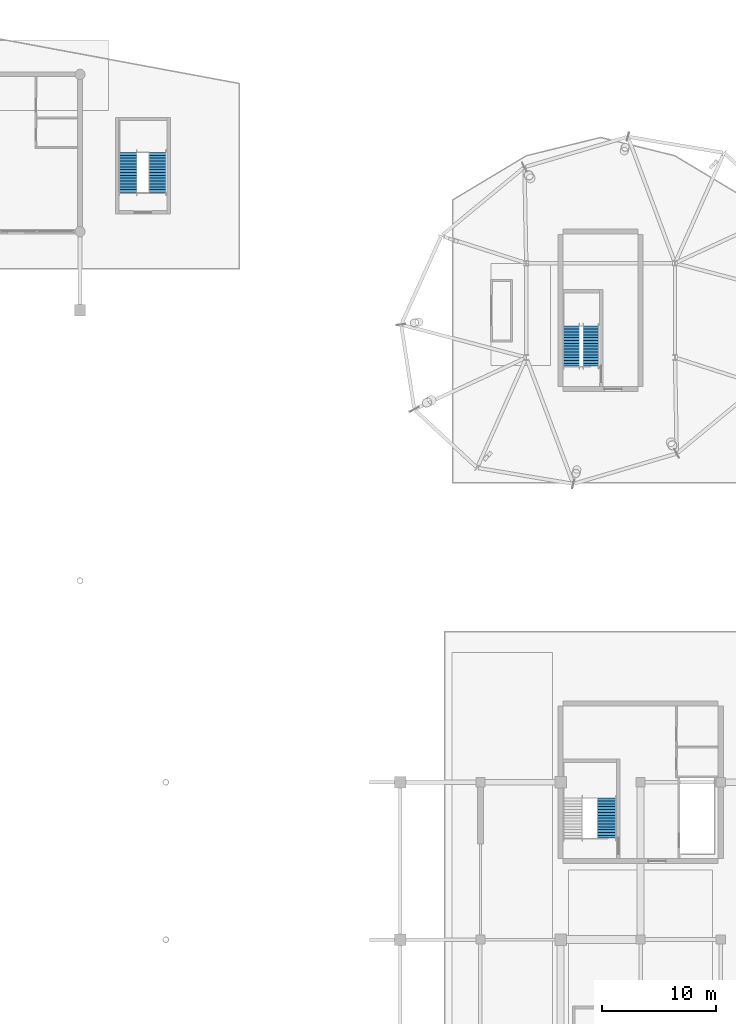
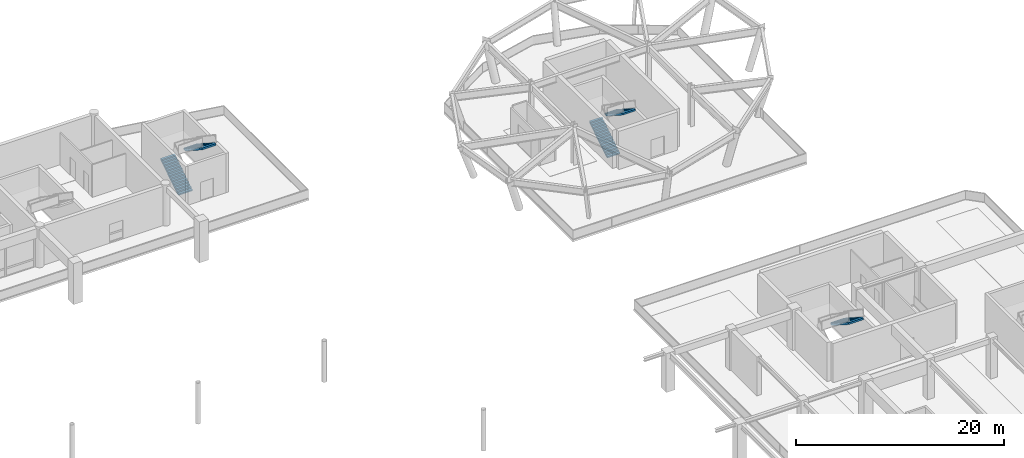
# One storey, part 78 of 91: 5 stair flights, 3 elements without a shape of their own.
"""IFC4 building model written with IfcOpenShell, lengths in metres."""

from ifc_helpers import new_model, si_unit, direction, frame, origin, place, context, subcontext, project, spatial, polyline, outline, extrude, material, type_object, element, aggregate, save


model = new_model("IFC4")

# Units and contexts
model_context = context("Model", 3, precision=1e-05, world=origin(), true_north=direction((0.0, 1.0)))
body_context = subcontext(model_context, "Body", "Model", "MODEL_VIEW")
ifc_project = project(units=[si_unit("LENGTHUNIT", "METRE"), si_unit("AREAUNIT", "SQUARE_METRE"), si_unit("VOLUMEUNIT", "CUBIC_METRE"), si_unit("PLANEANGLEUNIT", "RADIAN"), si_unit("MASSUNIT", "GRAM", prefix="KILO")], contexts=[model_context])

# Site, building, storey
site_placement = place(None, origin())
site = spatial("IfcSite", under=ifc_project, at=site_placement, CompositionType="ELEMENT")
building_placement = place(site_placement, origin())
building = spatial("IfcBuilding", under=site, at=building_placement, Name="Linyun Crest Stadium", CompositionType="ELEMENT")
storey_placement = place(building_placement, frame((0.0, 0.0, 11.39990234375)))
storey = spatial("IfcBuildingStorey", under=building, at=storey_placement, Name="L03", CompositionType="ELEMENT", Elevation=11.39990234375)

# Stair, stair flight
ifc_material_1 = material(Name="Concrete C40", Category="concrete")
stair_type = type_object("IfcStairType", Name="STA03", PredefinedType="HALF_TURN_STAIR", material=ifc_material_1)
stair_1_placement = place(storey_placement, origin())
stair_1 = element("IfcStair", 1, at=stair_1_placement, inside=storey, type_object=stair_type, Name="Evacuation stair STR-06-L03", PredefinedType="HALF_TURN_STAIR")
ifc_material_2 = material(Name="Concrete C40", Category="concrete")
stair_flight_type_1 = type_object("IfcStairFlightType", Name="STF01", PredefinedType="STRAIGHT", material=ifc_material_2)
stair_flight_1_placement = place(storey_placement, frame((74.034912109375, 41.989990234375, 2.400146484375), z_axis=(0.0, 0.0, 1.0), x_axis=(0.0, -1.0, 0.0)))
stair_flight_1 = element("IfcStairFlight", 2, at=stair_flight_1_placement, type_object=stair_flight_type_1, Name="STR-06-L03 flight 2", NumberOfRisers=15, NumberOfTreads=14, PredefinedType="STRAIGHT", RiserHeight=0.16, TreadLength=0.25, context=body_context, shape_type="SweptSolid", body=[
    extrude(outline(polyline([(0.0, 0.0), (0.0, 0.159912109375), (0.25, 0.159912109375), (0.25, 0.320068359375), (0.5, 0.320068359375), (0.5, 0.47998046875), (0.75, 0.47998046875), (0.75, 0.639892578125), (1.0, 0.639892578125), (1.0, 0.800048828125), (1.25, 0.800048828125), (1.25, 0.9599609375), (1.5, 0.9599609375), (1.5, 1.1201171875), (1.75, 1.1201171875), (1.75, 1.280029296875), (2.0, 1.280029296875), (2.0, 1.43994140625), (2.25, 1.43994140625), (2.25, 1.60009765625), (2.5, 1.60009765625), (2.5, 1.760009765625), (2.75, 1.760009765625), (2.75, 1.919921875), (3.0, 1.919921875), (3.0, 2.080078125), (3.25, 2.080078125), (3.25, 2.239990234375), (3.5, 2.239990234375), (3.5, 2.39990234375), (3.5, 2.0263671875), (0.333740234375, 0.0), (0.0, 0.0)])), frame((0.0, 0.824951171875, 0.0), z_axis=(0.0, -1.0, 0.0), x_axis=(1.0, 0.0, 0.0)), (0.0, 0.0, 1.0), 1.64990234375),
])
aggregate(stair_1, [stair_flight_1])

# Stair, stair flights
stair_2_placement = place(storey_placement, origin())
stair_2 = element("IfcStair", 3, at=stair_2_placement, inside=storey, type_object=stair_type, Name="Vomitory evacuation stair STR-26-L03", PredefinedType="HALF_TURN_STAIR")
ifc_material_3 = material(Name="Concrete C40", Category="concrete")
stair_flight_type_2 = type_object("IfcStairFlightType", Name="STF02", PredefinedType="STRAIGHT", material=ifc_material_3)
stair_flight_2_placement = place(storey_placement, frame((32.215087890625, 94.919921875, 0.0), z_axis=(0.0, 0.0, 1.0), x_axis=(0.0, 1.0, 0.0)))
stair_flight_2 = element("IfcStairFlight", 4, at=stair_flight_2_placement, type_object=stair_flight_type_2, Name="STR-26-L03 flight 1", NumberOfRisers=15, NumberOfTreads=14, PredefinedType="STRAIGHT", RiserHeight=0.16, TreadLength=0.25, context=body_context, shape_type="SweptSolid", body=[
    extrude(outline(polyline([(0.0, 0.0), (0.0, 0.159912109375), (0.25, 0.159912109375), (0.25, 0.320068359375), (0.5, 0.320068359375), (0.5, 0.47998046875), (0.75, 0.47998046875), (0.75, 0.639892578125), (1.0, 0.639892578125), (1.0, 0.800048828125), (1.25, 0.800048828125), (1.25, 0.9599609375), (1.5, 0.9599609375), (1.5, 1.1201171875), (1.75, 1.1201171875), (1.75, 1.280029296875), (2.0, 1.280029296875), (2.0, 1.43994140625), (2.25, 1.43994140625), (2.25, 1.60009765625), (2.5, 1.60009765625), (2.5, 1.760009765625), (2.75, 1.760009765625), (2.75, 1.919921875), (3.0, 1.919921875), (3.0, 2.080078125), (3.25, 2.080078125), (3.25, 2.239990234375), (3.5, 2.239990234375), (3.5, 2.39990234375), (3.5, 2.0263671875), (0.333740234375, 0.0), (0.0, 0.0)])), frame((0.0, 0.77490234375, 0.0), z_axis=(0.0, -1.0, 0.0), x_axis=(1.0, 0.0, 0.0)), (0.0, 0.0, 1.0), 1.550048828125),
])
stair_flight_3_placement = place(storey_placement, frame((34.784912109375, 98.419921875, 2.400146484375), z_axis=(0.0, 0.0, 1.0), x_axis=(0.0, -1.0, 0.0)))
stair_flight_3 = element("IfcStairFlight", 5, at=stair_flight_3_placement, type_object=stair_flight_type_2, Name="STR-26-L03 flight 2", NumberOfRisers=15, NumberOfTreads=14, PredefinedType="STRAIGHT", RiserHeight=0.16, TreadLength=0.25, context=body_context, shape_type="SweptSolid", body=[
    extrude(outline(polyline([(0.0, 0.0), (0.0, 0.159912109375), (0.25, 0.159912109375), (0.25, 0.320068359375), (0.5, 0.320068359375), (0.5, 0.47998046875), (0.75, 0.47998046875), (0.75, 0.639892578125), (1.0, 0.639892578125), (1.0, 0.800048828125), (1.25, 0.800048828125), (1.25, 0.9599609375), (1.5, 0.9599609375), (1.5, 1.1201171875), (1.75, 1.1201171875), (1.75, 1.280029296875), (2.0, 1.280029296875), (2.0, 1.43994140625), (2.25, 1.43994140625), (2.25, 1.60009765625), (2.5, 1.60009765625), (2.5, 1.760009765625), (2.75, 1.760009765625), (2.75, 1.919921875), (3.0, 1.919921875), (3.0, 2.080078125), (3.25, 2.080078125), (3.25, 2.239990234375), (3.5, 2.239990234375), (3.5, 2.39990234375), (3.5, 2.0263671875), (0.333740234375, 0.0), (0.0, 0.0)])), frame((0.0, 0.77490234375, 0.0), z_axis=(0.0, -1.0, 0.0), x_axis=(1.0, 0.0, 0.0)), (0.0, 0.0, 1.0), 1.550048828125),
])
aggregate(stair_2, [stair_flight_2, stair_flight_3])

stair_3_placement = place(storey_placement, origin())
stair_3 = element("IfcStair", 6, at=stair_3_placement, inside=storey, type_object=stair_type, Name="Evacuation stair STR-12-L03", PredefinedType="HALF_TURN_STAIR")
ifc_material_4 = material(Name="Concrete C40", Category="concrete")
stair_flight_type_3 = type_object("IfcStairFlightType", Name="STF03", PredefinedType="STRAIGHT", material=ifc_material_4)
stair_flight_4_placement = place(storey_placement, frame((70.965087890625, 79.739990234375, 0.0), z_axis=(0.0, 0.0, 1.0), x_axis=(0.0, 1.0, 0.0)))
stair_flight_4 = element("IfcStairFlight", 7, at=stair_flight_4_placement, type_object=stair_flight_type_3, Name="STR-12-L03 flight 1", NumberOfRisers=15, NumberOfTreads=14, PredefinedType="STRAIGHT", RiserHeight=0.16, TreadLength=0.25, context=body_context, shape_type="SweptSolid", body=[
    extrude(outline(polyline([(0.0, 0.0), (0.0, 0.159912109375), (0.25, 0.159912109375), (0.25, 0.320068359375), (0.5, 0.320068359375), (0.5, 0.47998046875), (0.75, 0.47998046875), (0.75, 0.639892578125), (1.0, 0.639892578125), (1.0, 0.800048828125), (1.25, 0.800048828125), (1.25, 0.9599609375), (1.5, 0.9599609375), (1.5, 1.1201171875), (1.75, 1.1201171875), (1.75, 1.280029296875), (2.0, 1.280029296875), (2.0, 1.43994140625), (2.25, 1.43994140625), (2.25, 1.60009765625), (2.5, 1.60009765625), (2.5, 1.760009765625), (2.75, 1.760009765625), (2.75, 1.919921875), (3.0, 1.919921875), (3.0, 2.080078125), (3.25, 2.080078125), (3.25, 2.239990234375), (3.5, 2.239990234375), (3.5, 2.39990234375), (3.5, 2.038330078125), (0.315185546875, 0.0), (0.0, 0.0)])), frame((0.0, 0.699951171875, 0.0), z_axis=(0.0, -1.0, 0.0), x_axis=(1.0, 0.0, 0.0)), (0.0, 0.0, 1.0), 1.39990234375),
])
stair_flight_5_placement = place(storey_placement, frame((72.659912109375, 83.239990234375, 2.400146484375), z_axis=(0.0, 0.0, 1.0), x_axis=(0.0, -1.0, 0.0)))
stair_flight_5 = element("IfcStairFlight", 8, at=stair_flight_5_placement, type_object=stair_flight_type_3, Name="STR-12-L03 flight 2", NumberOfRisers=15, NumberOfTreads=14, PredefinedType="STRAIGHT", RiserHeight=0.16, TreadLength=0.25, context=body_context, shape_type="SweptSolid", body=[
    extrude(outline(polyline([(0.0, 0.0), (0.0, 0.159912109375), (0.25, 0.159912109375), (0.25, 0.320068359375), (0.5, 0.320068359375), (0.5, 0.47998046875), (0.75, 0.47998046875), (0.75, 0.639892578125), (1.0, 0.639892578125), (1.0, 0.800048828125), (1.25, 0.800048828125), (1.25, 0.9599609375), (1.5, 0.9599609375), (1.5, 1.1201171875), (1.75, 1.1201171875), (1.75, 1.280029296875), (2.0, 1.280029296875), (2.0, 1.43994140625), (2.25, 1.43994140625), (2.25, 1.60009765625), (2.5, 1.60009765625), (2.5, 1.760009765625), (2.75, 1.760009765625), (2.75, 1.919921875), (3.0, 1.919921875), (3.0, 2.080078125), (3.25, 2.080078125), (3.25, 2.239990234375), (3.5, 2.239990234375), (3.5, 2.39990234375), (3.5, 2.038330078125), (0.315185546875, 0.0), (0.0, 0.0)])), frame((0.0, 0.699951171875, 0.0), z_axis=(0.0, -1.0, 0.0), x_axis=(1.0, 0.0, 0.0)), (0.0, 0.0, 1.0), 1.39990234375),
])
aggregate(stair_3, [stair_flight_4, stair_flight_5])

save(model, "model.ifc")
